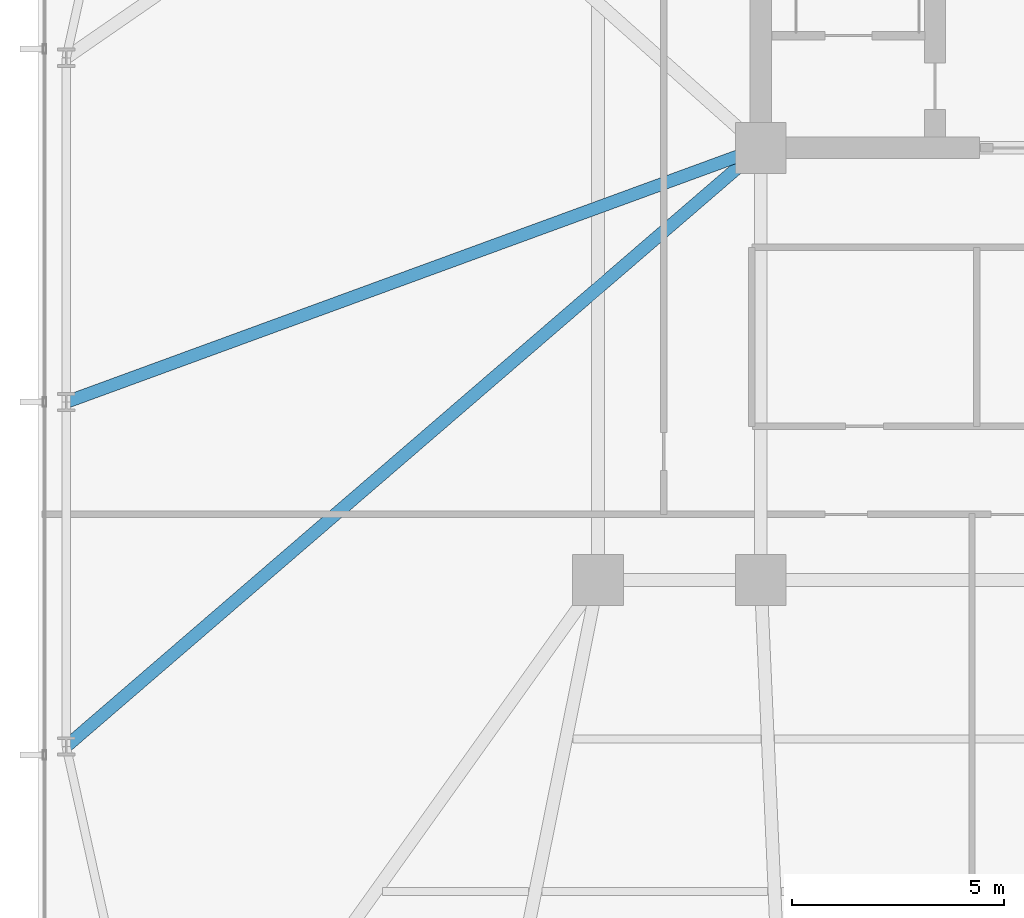
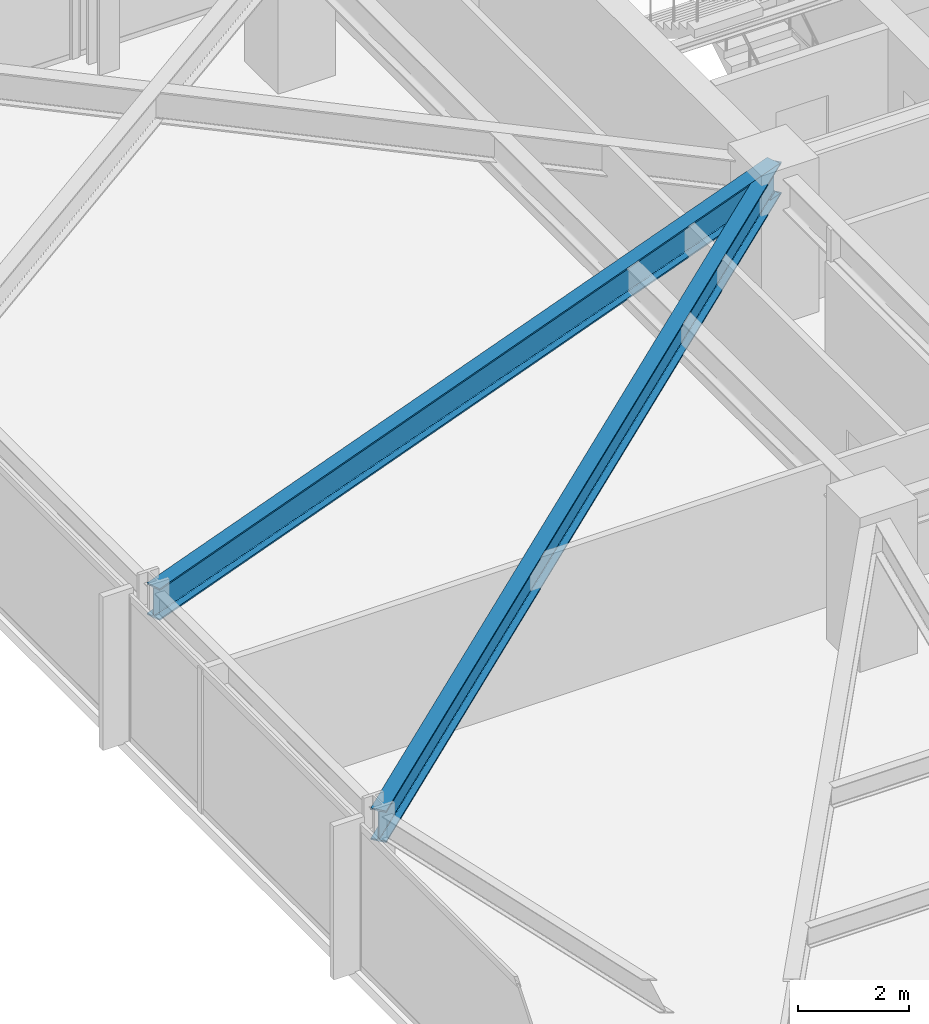
# One storey, part 8 of 32: 2 beams.
"""IFC4 building model written with IfcOpenShell, lengths in metres."""

from ifc_helpers import new_model, si_unit, direction, frame, origin, origin_2d, place, context, subcontext, project, spatial, i_section, extrude, material, material_profile, profile_set, type_object, element, save


model = new_model("IFC4")

# Units and contexts
model_context = context("Model", 3, precision=1e-05, world=origin(), true_north=direction((0.0, 1.0)))
body_context = subcontext(model_context, "Body", "Model", "MODEL_VIEW")
ifc_project = project(units=[si_unit("LENGTHUNIT", "METRE"), si_unit("AREAUNIT", "SQUARE_METRE"), si_unit("VOLUMEUNIT", "CUBIC_METRE"), si_unit("PLANEANGLEUNIT", "RADIAN"), si_unit("MASSUNIT", "GRAM", prefix="KILO")], contexts=[model_context])

# Site, building, storey
site_placement = place(None, origin())
site = spatial("IfcSite", under=ifc_project, at=site_placement, CompositionType="ELEMENT")
building_placement = place(site_placement, origin())
building = spatial("IfcBuilding", under=site, at=building_placement, Name="Yelkora Congress Tower", CompositionType="ELEMENT")
storey_placement = place(building_placement, frame((0.0, 0.0, 61.0)))
storey = spatial("IfcBuildingStorey", under=building, at=storey_placement, Name="L15", CompositionType="ELEMENT", Elevation=61.0)

# Beams
ifc_material = material(Name="Steel S355J2", Category="steel")
ifc_material_profile = material_profile(ifc_material, i_section(OverallWidth=0.300048828125, OverallDepth=0.699951171875, WebThickness=0.01708984375, FlangeThickness=0.031982421875, FilletRadius=0.027099609375, at=origin_2d()), Name="HEB 700")
ifc_profile_set = profile_set([ifc_material_profile], Name="Steel S355J2")
beam_type = type_object("IfcBeamType", Name="BM-GIRD-HEB700", PredefinedType="BEAM", material=ifc_profile_set)
beam_1_placement = place(storey_placement, frame((6.64990234375, 21.27490234375, 2.830078125), z_axis=(0.757511165967, 0.652822206604, 0.0), x_axis=(-0.652822206604, 0.757511165967, 0.0)))
element("IfcBeam", 1, at=beam_1_placement, inside=storey, type_object=beam_type, Name="L15 Primary Frame Girder W01", PredefinedType="BEAM", context=body_context, shape_type="SweptSolid", body=[
    extrude(i_section(OverallWidth=0.300048828125, OverallDepth=0.699951171875, WebThickness=0.01708984375, FlangeThickness=0.031982421875, FilletRadius=0.027099609375, at=origin_2d()), origin(), (0.0, 0.0, 1.0), 21.63671875),
])
beam_2_placement = place(storey_placement, frame((6.64990234375, 29.39990234375, 2.830078125), z_axis=(0.939056124561, 0.343763865064, 0.0), x_axis=(-0.343763865064, 0.939056124561, 0.0)))
element("IfcBeam", 2, at=beam_2_placement, inside=storey, type_object=beam_type, Name="L15 Primary Frame Girder W02", PredefinedType="BEAM", context=body_context, shape_type="SweptSolid", body=[
    extrude(i_section(OverallWidth=0.300048828125, OverallDepth=0.699951171875, WebThickness=0.01708984375, FlangeThickness=0.031982421875, FilletRadius=0.027099609375, at=origin_2d()), origin(), (0.0, 0.0, 1.0), 17.453857421875),
])

save(model, "model.ifc")
